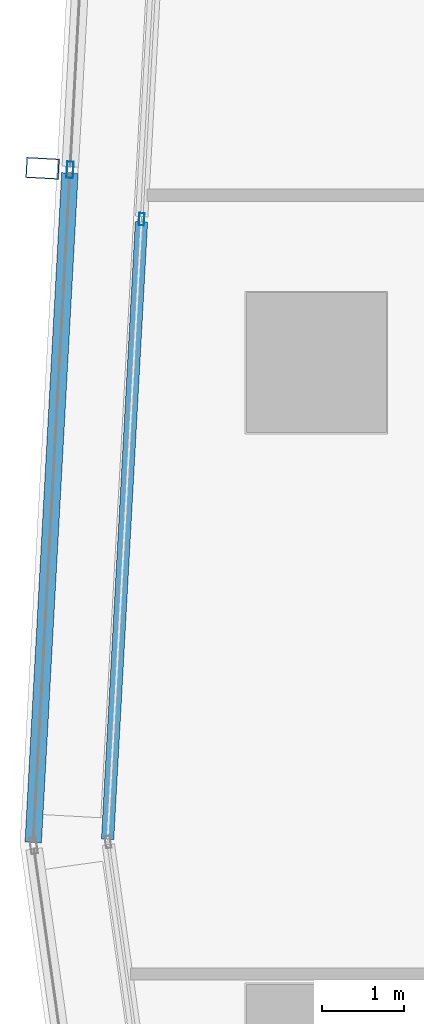
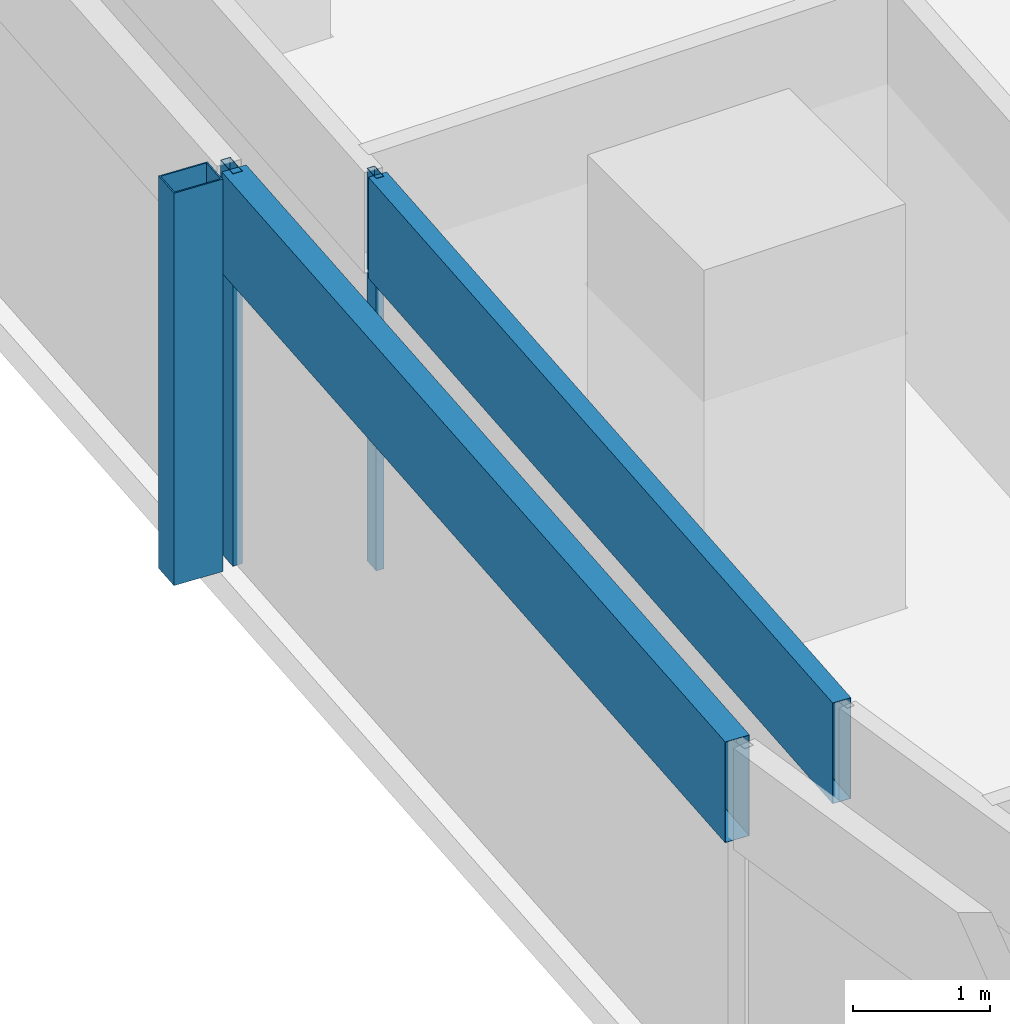
# One storey, part 7 of 40: 5 members, 2 elements without a shape of their own.
"""IFC4 building model written with IfcOpenShell, lengths in metres."""

from ifc_helpers import new_model, si_unit, direction, frame, origin, origin_2d, place, context, subcontext, project, spatial, hollow_rectangle, extrude, material, material_profile, profile_set, type_object, element, aggregate, save


model = new_model("IFC4")

# Units and contexts
model_context = context("Model", 3, precision=1e-05, world=origin(), true_north=direction((0.0, 1.0)))
body_context = subcontext(model_context, "Body", "Model", "MODEL_VIEW")
ifc_project = project(units=[si_unit("LENGTHUNIT", "METRE"), si_unit("AREAUNIT", "SQUARE_METRE"), si_unit("VOLUMEUNIT", "CUBIC_METRE"), si_unit("PLANEANGLEUNIT", "RADIAN"), si_unit("MASSUNIT", "GRAM", prefix="KILO")], contexts=[model_context])

# Site, building, storey
site_placement = place(None, origin())
site = spatial("IfcSite", under=ifc_project, at=site_placement, CompositionType="ELEMENT")
building_placement = place(site_placement, origin())
building = spatial("IfcBuilding", under=site, at=building_placement, Name="Rekha Terrace Tower", CompositionType="ELEMENT")
storey_placement = place(building_placement, frame((0.0, 0.0, 110.300048828125)))
storey = spatial("IfcBuildingStorey", under=building, at=storey_placement, Name="L27", CompositionType="ELEMENT", Elevation=110.300048828125)

# Curtain wall, member
ifc_material_1 = material(Name="Aluminium framing", Category="aluminium")
curtain_wall_type_1 = type_object("IfcCurtainWallType", Name="CW2 double skin outer glazing", PredefinedType="USERDEFINED", material=ifc_material_1)
curtain_wall_1_placement = place(storey_placement, origin())
curtain_wall_1 = element("IfcCurtainWall", 1, at=curtain_wall_1_placement, inside=storey, type_object=curtain_wall_type_1, Name="CW2 double skin outer glazing", ObjectType="DOUBLE SKIN OUTER GLAZING", PredefinedType="USERDEFINED")
ifc_material_2 = material(Name="Steel S355 with fluorocarbon finish", Category="steel")
ifc_material_profile_1 = material_profile(ifc_material_2, hollow_rectangle(XDim=0.25, YDim=0.39990234375, WallThickness=0.012451171875, at=origin_2d()), Name="RHS400x250x12.5")
ifc_profile_set_1 = profile_set([ifc_material_profile_1], Name="Steel S355 with fluorocarbon finish")
member_type_1 = type_object("IfcMemberType", Name="BL1 facade blade RHS 400 x 250", PredefinedType="USERDEFINED", material=ifc_profile_set_1)
member_1_placement = place(storey_placement, frame((5.073974609375, 35.9609375, 0.0), z_axis=(0.0, 0.0, 1.0), x_axis=(-0.054742798353, -0.998500488747, 0.0)))
member_1 = element("IfcMember", 2, at=member_1_placement, type_object=member_type_1, Name="Facade blade", ObjectType="FACADE BLADE", PredefinedType="USERDEFINED", context=body_context, shape_type="SweptSolid", body=[
    extrude(hollow_rectangle(XDim=0.25, YDim=0.39990234375, WallThickness=0.012451171875, at=origin_2d()), origin(), (0.0, 0.0, 1.0), 3.5),
])

# Curtain wall, members
curtain_wall_type_2 = type_object("IfcCurtainWallType", Name="CW1 double skin inner glazing", PredefinedType="USERDEFINED", material=ifc_material_1)
curtain_wall_2_placement = place(storey_placement, origin())
curtain_wall_2 = element("IfcCurtainWall", 3, at=curtain_wall_2_placement, inside=storey, type_object=curtain_wall_type_2, Name="CW1 double skin inner glazing", ObjectType="DOUBLE SKIN INNER GLAZING", PredefinedType="USERDEFINED")
ifc_material_3 = material(Name="Aluminium mullion section", Category="aluminium")
ifc_material_profile_2 = material_profile(ifc_material_3, hollow_rectangle(XDim=0.06494140625, YDim=0.14990234375, WallThickness=0.00390625, at=origin_2d()), Name="AL RHS 65x150")
ifc_profile_set_2 = profile_set([ifc_material_profile_2], Name="Aluminium mullion section")
member_type_2 = type_object("IfcMemberType", Name="CW1 mullion RHS 65 x 150", PredefinedType="MULLION", material=ifc_profile_set_2)
member_2_placement = place(storey_placement, frame((6.27685546875, 35.343017578125, 0.0), z_axis=(0.0, 0.0, 1.0), x_axis=(0.99850051318, -0.054742352707, 0.0)))
member_2 = element("IfcMember", 4, at=member_2_placement, type_object=member_type_2, Name="CW1 mullion 4", PredefinedType="MULLION", context=body_context, shape_type="SweptSolid", body=[
    extrude(hollow_rectangle(XDim=0.06494140625, YDim=0.14990234375, WallThickness=0.00390625, at=origin_2d()), origin(), (0.0, 0.0, 1.0), 3.5),
])
ifc_material_4 = material(Name="Insulated aluminium spandrel box", Category="aluminium")
ifc_material_profile_3 = material_profile(ifc_material_4, hollow_rectangle(XDim=0.14990234375, YDim=0.89990234375, WallThickness=0.0029296875, at=origin_2d()), Name="AL SPANDREL BOX 150x900")
ifc_profile_set_3 = profile_set([ifc_material_profile_3], Name="Insulated aluminium spandrel box")
member_type_3 = type_object("IfcMemberType", Name="CW1 spandrel transom 150 x 900", PredefinedType="USERDEFINED", material=ifc_profile_set_3)
member_3_placement = place(storey_placement, frame((6.275146484375, 35.310546875, 3.050048828125), z_axis=(-0.054756855706, -0.998499717953, 0.0), x_axis=(0.998499717953, -0.054756855706, 0.0)))
member_3 = element("IfcMember", 5, at=member_3_placement, type_object=member_type_3, Name="CW1 spandrel transom 4", ObjectType="TRANSOM", PredefinedType="USERDEFINED", context=body_context, shape_type="SweptSolid", body=[
    extrude(hollow_rectangle(XDim=0.14990234375, YDim=0.89990234375, WallThickness=0.0029296875, at=origin_2d()), origin(), (0.0, 0.0, 1.0), 7.50830078125),
])
aggregate(curtain_wall_2, [member_2, member_3])

# Member
ifc_material_profile_4 = material_profile(ifc_material_3, hollow_rectangle(XDim=0.080078125, YDim=0.199951171875, WallThickness=0.00390625, at=origin_2d()), Name="AL RHS 80x200")
ifc_profile_set_4 = profile_set([ifc_material_profile_4], Name="Aluminium mullion section")
member_type_4 = type_object("IfcMemberType", Name="CW2 mullion RHS 80 x 200", PredefinedType="MULLION", material=ifc_profile_set_4)
member_4_placement = place(storey_placement, frame((5.408447265625, 35.942626953125, 0.0), z_axis=(0.0, 0.0, 1.0), x_axis=(0.99850051318, -0.054742352707, 0.0)))
member_4 = element("IfcMember", 6, at=member_4_placement, type_object=member_type_4, Name="CW2 mullion 4", PredefinedType="MULLION", context=body_context, shape_type="SweptSolid", body=[
    extrude(hollow_rectangle(XDim=0.080078125, YDim=0.199951171875, WallThickness=0.00390625, at=origin_2d()), origin(), (0.0, 0.0, 1.0), 3.5),
])

ifc_material_profile_5 = material_profile(ifc_material_4, hollow_rectangle(XDim=0.199951171875, YDim=0.89990234375, WallThickness=0.0029296875, at=origin_2d()), Name="AL SPANDREL BOX 200x900")
ifc_profile_set_5 = profile_set([ifc_material_profile_5], Name="Insulated aluminium spandrel box")
member_type_5 = type_object("IfcMemberType", Name="CW2 spandrel transom 200 x 900", PredefinedType="USERDEFINED", material=ifc_profile_set_5)
member_5_placement = place(storey_placement, frame((5.40625, 35.902587890625, 3.050048828125), z_axis=(-0.054737434401, -0.998500782812, 0.0), x_axis=(0.998500782812, -0.054737434401, 0.0)))
member_5 = element("IfcMember", 7, at=member_5_placement, type_object=member_type_5, Name="CW2 spandrel transom 4", ObjectType="TRANSOM", PredefinedType="USERDEFINED", context=body_context, shape_type="SweptSolid", body=[
    extrude(hollow_rectangle(XDim=0.199951171875, YDim=0.89990234375, WallThickness=0.0029296875, at=origin_2d()), origin(), (0.0, 0.0, 1.0), 8.139892578125),
])

aggregate(curtain_wall_1, [member_4, member_5, member_1])

save(model, "model.ifc")
